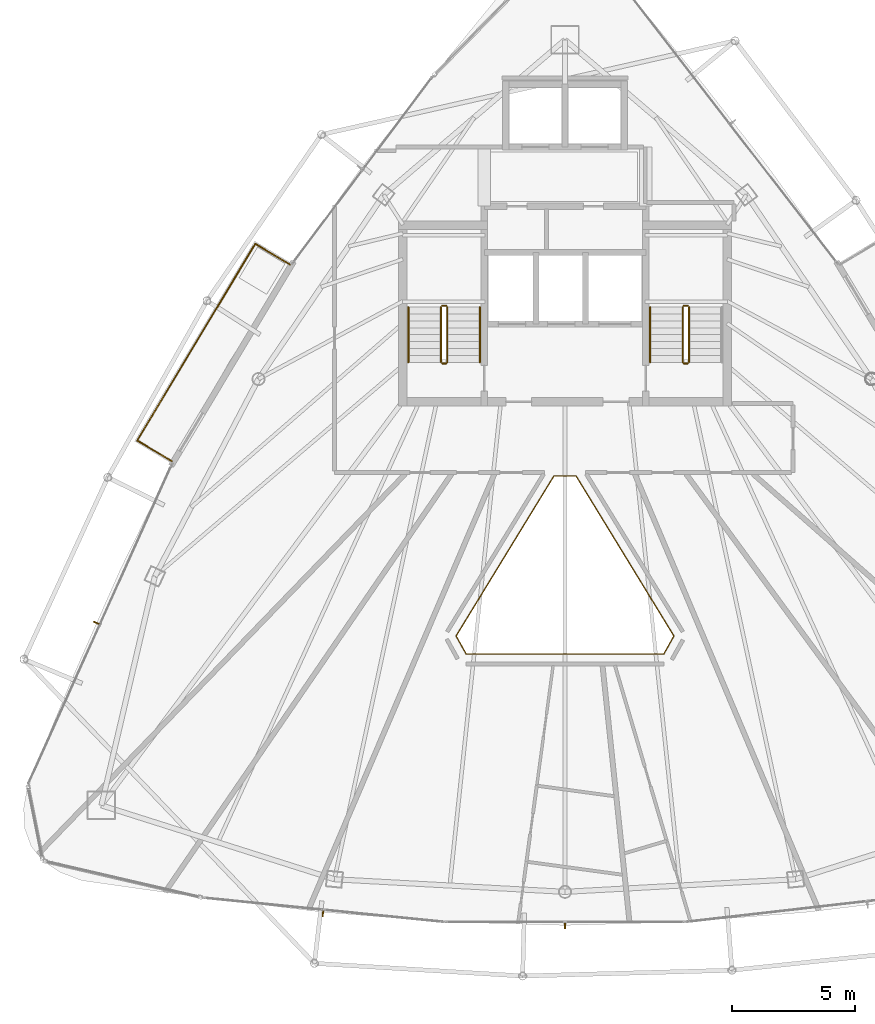
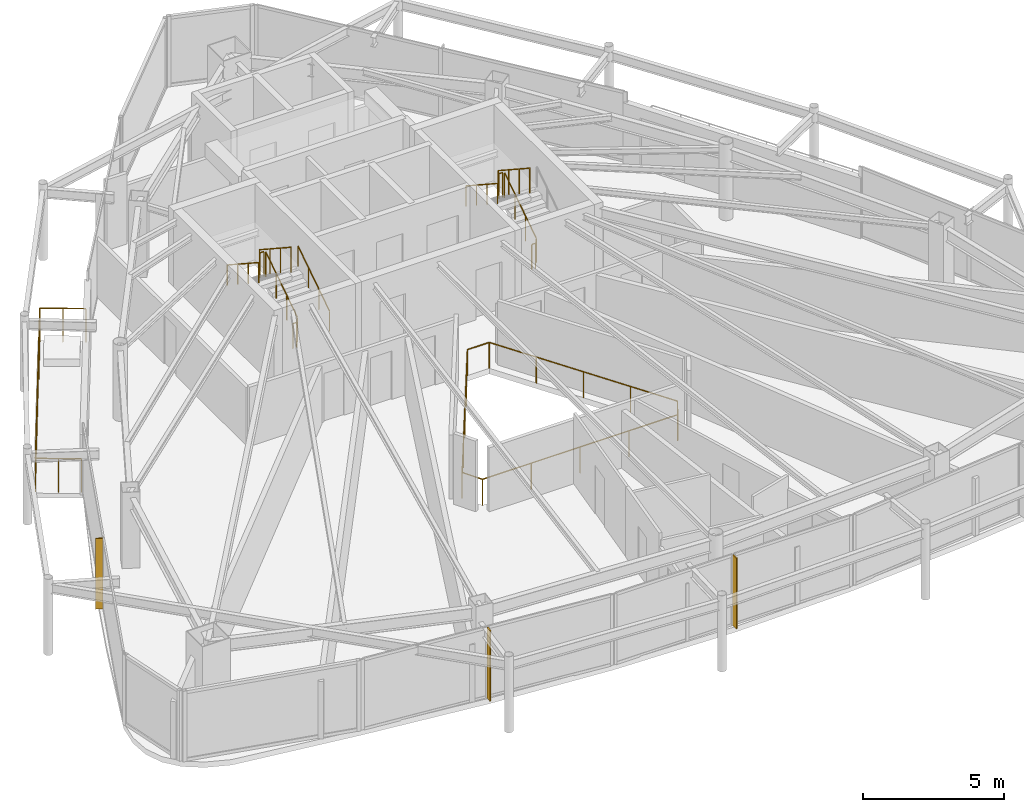
# One storey, part 27 of 28: 13 railings, 3 shading devices.
"""IFC4 building model written with IfcOpenShell, lengths in metres."""

from ifc_helpers import new_model, si_unit, direction, frame, origin, origin_2d, place, context, subcontext, project, spatial, rectangle, circle, extrude, material, layer, layer_set, type_object, element, save


model = new_model("IFC4")

# Units and contexts
model_context = context("Model", 3, precision=1e-05, world=origin(), true_north=direction((0.0, 1.0)))
body_context = subcontext(model_context, "Body", "Model", "MODEL_VIEW")
ifc_project = project(units=[si_unit("LENGTHUNIT", "METRE"), si_unit("AREAUNIT", "SQUARE_METRE"), si_unit("VOLUMEUNIT", "CUBIC_METRE"), si_unit("PLANEANGLEUNIT", "RADIAN"), si_unit("MASSUNIT", "GRAM", prefix="KILO")], contexts=[model_context])

# Site, building, storey
site_placement = place(None, origin())
site = spatial("IfcSite", under=ifc_project, at=site_placement, CompositionType="ELEMENT")
building_placement = place(site_placement, origin())
building = spatial("IfcBuilding", under=site, at=building_placement, Name="Orvanel Arch Residences", CompositionType="ELEMENT")
storey_placement = place(building_placement, frame((0.0, 0.0, 260.14990234375)))
storey = spatial("IfcBuildingStorey", under=building, at=storey_placement, Name="L74", CompositionType="ELEMENT", Elevation=260.14990234375)

# Shading devices
ifc_material_1 = material(Name="Bronze-anodised aluminium AA6063-T6", Category="aluminium")
ifc_layer = layer(ifc_material_1, 0.050048828125)
ifc_layer_set = layer_set([ifc_layer], Name="Bronze-anodised aluminium AA6063-T6")
shading_device_type = type_object("IfcShadingDeviceType", Name="FIN-BRZ-260", PredefinedType="USERDEFINED", material=ifc_layer_set)
for number, where, z_axis, x_axis, name in (
    (1, (13.998046875, 17.75, 0.0), (0.0, 0.0, 1.0), (-0.912120116172, 0.409923033842, 0.0), "L74 Anodised Bronze Mullion FIN 01"),
    (2, (23.18310546875, 5.9599609375, 0.0), (0.0, 0.0, 1.0), (-0.099319749744, -0.995055569961, 0.0), "L74 Anodised Bronze Mullion FIN 01"),
    (3, (33.0, 5.468017578125, 0.0), (0.0, 0.0, 1.0), (0.0, -1.0, 0.0), "L74 Anodised Bronze Mullion FIN 01"),
):
    element("IfcShadingDevice", number, at=place(storey_placement, frame(where, z_axis=z_axis, x_axis=x_axis)), inside=storey, type_object=shading_device_type, Name=name, ObjectType="FIN", PredefinedType="USERDEFINED", context=body_context, shape_type="SweptSolid", body=[
        extrude(rectangle(XDim=0.260009765625, YDim=0.050048828125, at=origin_2d()), origin(), (0.0, 0.0, 1.0), 3.06005859375),
    ])

# Railings
railing_type_1 = type_object("IfcRailingType", Name="RL-ATR-1150", PredefinedType="BALUSTRADE", material=ifc_material_1)
railing_1_placement = place(storey_placement, frame((33.447021484375, 23.7119140625, 0.0)))
element("IfcRailing", 4, at=railing_1_placement, inside=storey, type_object=railing_type_1, Name="L74 Atrium Void Protective Balustrade", PredefinedType="BALUSTRADE", context=body_context, shape_type="SweptSolid", body=[
    extrude(circle(Radius=0.02392578125, at=origin_2d()), frame((-0.00146484375, 0.0, 1.1259765625), z_axis=(-1.0, 0.0, 0.0), x_axis=(0.0, -1.0, 0.0)), (0.0, 0.0, 1.0), 0.89111328125),
    extrude(circle(Radius=0.02392578125, at=origin_2d()), frame((-0.894775390625, -0.001220703125, 1.1259765625), z_axis=(-0.521612229543, -0.853182677972, 0.0), x_axis=(0.853182677972, -0.521612229543, 0.0)), (0.0, 0.0, 1.0), 7.606201171875),
    extrude(circle(Radius=0.02392578125, at=origin_2d()), frame((-4.8623046875, -6.4931640625, 1.1259765625), z_axis=(0.488629954368, -0.872491127573, 0.0), x_axis=(0.872491127573, 0.488629954368, 0.0)), (0.0, 0.0, 1.0), 0.8359375),
    extrude(circle(Radius=0.02392578125, at=origin_2d()), frame((-4.45166015625, -7.223876953125, 1.1259765625), z_axis=(1.0, 0.0, 0.0), x_axis=(0.0, 1.0, 0.0)), (0.0, 0.0, 1.0), 8.00927734375),
    extrude(circle(Radius=0.02392578125, at=origin_2d()), frame((3.559814453125, -7.22265625, 1.1259765625), z_axis=(0.488629954368, 0.872491127573, 0.0), x_axis=(-0.872491127573, 0.488629954368, 0.0)), (0.0, 0.0, 1.0), 0.8359375),
    extrude(circle(Radius=0.02392578125, at=origin_2d()), frame((3.96826171875, -6.49072265625, 1.1259765625), z_axis=(-0.521612229543, 0.853182677972, 0.0), x_axis=(-0.853182677972, -0.521612229543, 0.0)), (0.0, 0.0, 1.0), 7.606201171875),
    extrude(circle(Radius=0.02099609375, at=origin_2d()), origin(), (0.0, 0.0, 1.0), 1.099853515625),
    extrude(circle(Radius=0.02099609375, at=origin_2d()), frame((-0.89404296875, 0.0, 0.0)), (0.0, 0.0, 1.0), 1.099853515625),
    extrude(circle(Radius=0.02099609375, at=origin_2d()), frame((-1.88623046875, -1.623046875, 0.0)), (0.0, 0.0, 1.0), 1.099853515625),
    extrude(circle(Radius=0.02099609375, at=origin_2d()), frame((-2.87841796875, -3.24609375, 0.0)), (0.0, 0.0, 1.0), 1.099853515625),
    extrude(circle(Radius=0.02099609375, at=origin_2d()), frame((-3.870849609375, -4.868896484375, 0.0)), (0.0, 0.0, 1.0), 1.099853515625),
    extrude(circle(Radius=0.02099609375, at=origin_2d()), frame((-4.863037109375, -6.491943359375, 0.0)), (0.0, 0.0, 1.0), 1.099853515625),
    extrude(circle(Radius=0.02099609375, at=origin_2d()), frame((-4.453125, -7.223876953125, 0.0)), (0.0, 0.0, 1.0), 1.099853515625),
    extrude(circle(Radius=0.02099609375, at=origin_2d()), frame((-2.4501953125, -7.223876953125, 0.0)), (0.0, 0.0, 1.0), 1.099853515625),
    extrude(circle(Radius=0.02099609375, at=origin_2d()), frame((-0.447021484375, -7.223876953125, 0.0)), (0.0, 0.0, 1.0), 1.099853515625),
    extrude(circle(Radius=0.02099609375, at=origin_2d()), frame((1.55615234375, -7.223876953125, 0.0)), (0.0, 0.0, 1.0), 1.099853515625),
    extrude(circle(Radius=0.02099609375, at=origin_2d()), frame((3.55908203125, -7.223876953125, 0.0)), (0.0, 0.0, 1.0), 1.099853515625),
    extrude(circle(Radius=0.02099609375, at=origin_2d()), frame((3.968994140625, -6.491943359375, 0.0)), (0.0, 0.0, 1.0), 1.099853515625),
    extrude(circle(Radius=0.02099609375, at=origin_2d()), frame((2.976806640625, -4.868896484375, 0.0)), (0.0, 0.0, 1.0), 1.099853515625),
    extrude(circle(Radius=0.02099609375, at=origin_2d()), frame((1.984375, -3.24609375, 0.0)), (0.0, 0.0, 1.0), 1.099853515625),
    extrude(circle(Radius=0.02099609375, at=origin_2d()), frame((0.9921875, -1.623046875, 0.0)), (0.0, 0.0, 1.0), 1.099853515625),
])
railing_type_2 = type_object("IfcRailingType", Name="RL-BAL-1480", PredefinedType="BALUSTRADE", material=ifc_material_1)
railing_2_placement = place(storey_placement, frame((21.844970703125, 32.282958984375, 0.0)))
element("IfcRailing", 5, at=railing_2_placement, inside=storey, type_object=railing_type_2, Name="L74 Balcony Perimeter Guardrail Face 1", PredefinedType="BALUSTRADE", context=body_context, shape_type="SweptSolid", body=[
    extrude(circle(Radius=0.02392578125, at=origin_2d()), frame((-0.001220703125, 0.000732421875, 1.4560546875), z_axis=(-0.857387817543, 0.514670895164, 0.0), x_axis=(-0.514670895164, -0.857387817543, 0.0)), (0.0, 0.0, 1.0), 1.636962890625),
    extrude(circle(Radius=0.02392578125, at=origin_2d()), frame((-1.40673828125, 0.8427734375, 1.4560546875), z_axis=(-0.514422430239, -0.857536916562, 0.0), x_axis=(0.857536916562, -0.514422430239, 0.0)), (0.0, 0.0, 1.0), 9.300537109375),
    extrude(circle(Radius=0.02392578125, at=origin_2d()), frame((-6.190673828125, -7.134765625, 1.4560546875), z_axis=(0.857545439568, -0.514408222208, 0.0), x_axis=(0.514408222208, 0.857545439568, 0.0)), (0.0, 0.0, 1.0), 1.6376953125),
    extrude(circle(Radius=0.02099609375, at=origin_2d()), origin(), (0.0, 0.0, 1.0), 1.429931640625),
    extrude(circle(Radius=0.02099609375, at=origin_2d()), frame((-0.703125, 0.421875, 0.0)), (0.0, 0.0, 1.0), 1.429931640625),
    extrude(circle(Radius=0.02099609375, at=origin_2d()), frame((-1.406005859375, 0.843994140625, 0.0)), (0.0, 0.0, 1.0), 1.429931640625),
    extrude(circle(Radius=0.02099609375, at=origin_2d()), frame((-2.004150390625, -0.1533203125, 0.0)), (0.0, 0.0, 1.0), 1.429931640625),
    extrude(circle(Radius=0.02099609375, at=origin_2d()), frame((-2.6025390625, -1.150390625, 0.0)), (0.0, 0.0, 1.0), 1.429931640625),
    extrude(circle(Radius=0.02099609375, at=origin_2d()), frame((-3.20068359375, -2.147705078125, 0.0)), (0.0, 0.0, 1.0), 1.429931640625),
    extrude(circle(Radius=0.02099609375, at=origin_2d()), frame((-3.798828125, -3.14501953125, 0.0)), (0.0, 0.0, 1.0), 1.429931640625),
    extrude(circle(Radius=0.02099609375, at=origin_2d()), frame((-4.397216796875, -4.142333984375, 0.0)), (0.0, 0.0, 1.0), 1.429931640625),
    extrude(circle(Radius=0.02099609375, at=origin_2d()), frame((-4.995361328125, -5.1396484375, 0.0)), (0.0, 0.0, 1.0), 1.429931640625),
    extrude(circle(Radius=0.02099609375, at=origin_2d()), frame((-5.59375, -6.13671875, 0.0)), (0.0, 0.0, 1.0), 1.429931640625),
    extrude(circle(Radius=0.02099609375, at=origin_2d()), frame((-6.19189453125, -7.134033203125, 0.0)), (0.0, 0.0, 1.0), 1.429931640625),
    extrude(circle(Radius=0.02099609375, at=origin_2d()), frame((-5.48828125, -7.55615234375, 0.0)), (0.0, 0.0, 1.0), 1.429931640625),
    extrude(circle(Radius=0.02099609375, at=origin_2d()), frame((-4.784912109375, -7.97802734375, 0.0)), (0.0, 0.0, 1.0), 1.429931640625),
])
ifc_material_2 = material(Name="Structural steel AS/NZS 1163 C350L0 (Grade 350)", Category="steel")
railing_type_3 = type_object("IfcRailingType", Name="RL-STAIR-GUARD", PredefinedType="GUARDRAIL", material=ifc_material_2)
railing_3_placement = place(storey_placement, frame((28.22998046875, 28.320068359375, 0.183349609375)))
element("IfcRailing", 6, at=railing_3_placement, inside=storey, type_object=railing_type_3, Name="L74 ST-1 stair guard 1", PredefinedType="GUARDRAIL", context=body_context, shape_type="SweptSolid", body=[
    extrude(circle(Radius=0.02392578125, at=origin_2d()), frame((0.0, 0.001220703125, 1.076904296875), z_axis=(0.0, 0.836595146698, 0.547821650285), x_axis=(-1.0, 0.0, 0.0)), (0.0, 0.0, 1.0), 2.674560546875),
    extrude(circle(Radius=0.02099609375, at=origin_2d()), origin(), (0.0, 0.0, 1.0), 1.050048828125),
    extrude(circle(Radius=0.02099609375, at=origin_2d()), frame((0.0, 0.74658203125, 0.489013671875)), (0.0, 0.0, 1.0), 1.050048828125),
    extrude(circle(Radius=0.02099609375, at=origin_2d()), frame((0.0, 1.493408203125, 0.977783203125)), (0.0, 0.0, 1.0), 1.050048828125),
    extrude(circle(Radius=0.02099609375, at=origin_2d()), frame((0.0, 2.239990234375, 1.466796875)), (0.0, 0.0, 1.0), 1.050048828125),
])
railing_4_placement = place(storey_placement, frame((28.179931640625, 30.610107421875, 1.650146484375)))
element("IfcRailing", 7, at=railing_4_placement, inside=storey, type_object=railing_type_3, Name="L74 ST-1 stair guard 2", PredefinedType="GUARDRAIL", context=body_context, shape_type="SweptSolid", body=[
    extrude(circle(Radius=0.02392578125, at=origin_2d()), frame((-0.00146484375, 0.0, 1.076171875), z_axis=(-1.0, 0.0, 0.0), x_axis=(0.0, -1.0, 0.0)), (0.0, 0.0, 1.0), 0.156982421875),
    extrude(circle(Radius=0.02099609375, at=origin_2d()), origin(), (0.0, 0.0, 1.0), 1.050048828125),
    extrude(circle(Radius=0.02099609375, at=origin_2d()), frame((-0.159912109375, 0.0, 0.0)), (0.0, 0.0, 1.0), 1.050048828125),
])
railing_5_placement = place(storey_placement, frame((27.969970703125, 30.56005859375, 1.83349609375)))
element("IfcRailing", 8, at=railing_5_placement, inside=storey, type_object=railing_type_3, Name="L74 ST-1 stair guard 3", PredefinedType="GUARDRAIL", context=body_context, shape_type="SweptSolid", body=[
    extrude(circle(Radius=0.02392578125, at=origin_2d()), frame((0.0, -0.001220703125, 1.076904296875), z_axis=(0.0, -0.836636935527, 0.547757827979), x_axis=(1.0, 0.0, 0.0)), (0.0, 0.0, 1.0), 2.67431640625),
    extrude(circle(Radius=0.02099609375, at=origin_2d()), origin(), (0.0, 0.0, 1.0), 1.050048828125),
    extrude(circle(Radius=0.02099609375, at=origin_2d()), frame((0.0, -0.74658203125, 0.48876953125)), (0.0, 0.0, 1.0), 1.050048828125),
    extrude(circle(Radius=0.02099609375, at=origin_2d()), frame((0.0, -1.493408203125, 0.977783203125)), (0.0, 0.0, 1.0), 1.050048828125),
    extrude(circle(Radius=0.02099609375, at=origin_2d()), frame((0.0, -2.239990234375, 1.466552734375)), (0.0, 0.0, 1.0), 1.050048828125),
])
railing_6_placement = place(storey_placement, frame((28.179931640625, 28.27001953125, 0.0)))
element("IfcRailing", 9, at=railing_6_placement, inside=storey, type_object=railing_type_3, Name="L74 ST-1 stair guard 4", PredefinedType="GUARDRAIL", context=body_context, shape_type="SweptSolid", body=[
    extrude(circle(Radius=0.02392578125, at=origin_2d()), frame((-0.00146484375, 0.0, 1.076171875), z_axis=(-1.0, 0.0, 0.0), x_axis=(0.0, -1.0, 0.0)), (0.0, 0.0, 1.0), 0.156982421875),
    extrude(circle(Radius=0.02099609375, at=origin_2d()), origin(), (0.0, 0.0, 1.0), 1.050048828125),
    extrude(circle(Radius=0.02099609375, at=origin_2d()), frame((-0.159912109375, 0.0, 0.0)), (0.0, 0.0, 1.0), 1.050048828125),
])
railing_7_placement = place(storey_placement, frame((38.030029296875, 28.320068359375, 0.183349609375)))
element("IfcRailing", 10, at=railing_7_placement, inside=storey, type_object=railing_type_3, Name="L74 ST-2 stair guard 1", PredefinedType="GUARDRAIL", context=body_context, shape_type="SweptSolid", body=[
    extrude(circle(Radius=0.02392578125, at=origin_2d()), frame((0.0, 0.001220703125, 1.076904296875), z_axis=(0.0, 0.836595146698, 0.547821650285), x_axis=(-1.0, 0.0, 0.0)), (0.0, 0.0, 1.0), 2.674560546875),
    extrude(circle(Radius=0.02099609375, at=origin_2d()), origin(), (0.0, 0.0, 1.0), 1.050048828125),
    extrude(circle(Radius=0.02099609375, at=origin_2d()), frame((0.0, 0.74658203125, 0.489013671875)), (0.0, 0.0, 1.0), 1.050048828125),
    extrude(circle(Radius=0.02099609375, at=origin_2d()), frame((0.0, 1.493408203125, 0.977783203125)), (0.0, 0.0, 1.0), 1.050048828125),
    extrude(circle(Radius=0.02099609375, at=origin_2d()), frame((0.0, 2.239990234375, 1.466796875)), (0.0, 0.0, 1.0), 1.050048828125),
])
railing_8_placement = place(storey_placement, frame((37.97998046875, 30.610107421875, 1.650146484375)))
element("IfcRailing", 11, at=railing_8_placement, inside=storey, type_object=railing_type_3, Name="L74 ST-2 stair guard 2", PredefinedType="GUARDRAIL", context=body_context, shape_type="SweptSolid", body=[
    extrude(circle(Radius=0.02392578125, at=origin_2d()), frame((-0.00146484375, 0.0, 1.076171875), z_axis=(-1.0, 0.0, 0.0), x_axis=(0.0, -1.0, 0.0)), (0.0, 0.0, 1.0), 0.156982421875),
    extrude(circle(Radius=0.02099609375, at=origin_2d()), origin(), (0.0, 0.0, 1.0), 1.050048828125),
    extrude(circle(Radius=0.02099609375, at=origin_2d()), frame((-0.159912109375, 0.0, 0.0)), (0.0, 0.0, 1.0), 1.050048828125),
])
railing_9_placement = place(storey_placement, frame((37.77001953125, 30.56005859375, 1.83349609375)))
element("IfcRailing", 12, at=railing_9_placement, inside=storey, type_object=railing_type_3, Name="L74 ST-2 stair guard 3", PredefinedType="GUARDRAIL", context=body_context, shape_type="SweptSolid", body=[
    extrude(circle(Radius=0.02392578125, at=origin_2d()), frame((0.0, -0.001220703125, 1.076904296875), z_axis=(0.0, -0.836636935527, 0.547757827979), x_axis=(1.0, 0.0, 0.0)), (0.0, 0.0, 1.0), 2.67431640625),
    extrude(circle(Radius=0.02099609375, at=origin_2d()), origin(), (0.0, 0.0, 1.0), 1.050048828125),
    extrude(circle(Radius=0.02099609375, at=origin_2d()), frame((0.0, -0.74658203125, 0.48876953125)), (0.0, 0.0, 1.0), 1.050048828125),
    extrude(circle(Radius=0.02099609375, at=origin_2d()), frame((0.0, -1.493408203125, 0.977783203125)), (0.0, 0.0, 1.0), 1.050048828125),
    extrude(circle(Radius=0.02099609375, at=origin_2d()), frame((0.0, -2.239990234375, 1.466552734375)), (0.0, 0.0, 1.0), 1.050048828125),
])
railing_10_placement = place(storey_placement, frame((37.97998046875, 28.27001953125, 0.0)))
element("IfcRailing", 13, at=railing_10_placement, inside=storey, type_object=railing_type_3, Name="L74 ST-2 stair guard 4", PredefinedType="GUARDRAIL", context=body_context, shape_type="SweptSolid", body=[
    extrude(circle(Radius=0.02392578125, at=origin_2d()), frame((-0.00146484375, 0.0, 1.076171875), z_axis=(-1.0, 0.0, 0.0), x_axis=(0.0, -1.0, 0.0)), (0.0, 0.0, 1.0), 0.156982421875),
    extrude(circle(Radius=0.02099609375, at=origin_2d()), origin(), (0.0, 0.0, 1.0), 1.050048828125),
    extrude(circle(Radius=0.02099609375, at=origin_2d()), frame((-0.159912109375, 0.0, 0.0)), (0.0, 0.0, 1.0), 1.050048828125),
])
railing_type_4 = type_object("IfcRailingType", Name="RL-STAIR-HAND", PredefinedType="HANDRAIL", material=ifc_material_2)
railing_11_placement = place(storey_placement, frame((29.550048828125, 28.320068359375, 0.183349609375)))
element("IfcRailing", 14, at=railing_11_placement, inside=storey, type_object=railing_type_4, Name="L74 ST-1 stair handrail 1", PredefinedType="HANDRAIL", context=body_context, shape_type="SweptSolid", body=[
    extrude(circle(Radius=0.02392578125, at=origin_2d()), frame((0.0, 0.001220703125, 0.876708984375), z_axis=(0.0, 0.836595146698, 0.547821650285), x_axis=(-1.0, 0.0, 0.0)), (0.0, 0.0, 1.0), 2.674560546875),
    extrude(circle(Radius=0.02099609375, at=origin_2d()), origin(), (0.0, 0.0, 1.0), 0.849853515625),
    extrude(circle(Radius=0.02099609375, at=origin_2d()), frame((0.0, 0.74658203125, 0.489013671875)), (0.0, 0.0, 1.0), 0.849853515625),
    extrude(circle(Radius=0.02099609375, at=origin_2d()), frame((0.0, 1.493408203125, 0.977783203125)), (0.0, 0.0, 1.0), 0.849853515625),
    extrude(circle(Radius=0.02099609375, at=origin_2d()), frame((0.0, 2.239990234375, 1.466796875)), (0.0, 0.0, 1.0), 0.849853515625),
])
for number, where, name in (
    (15, (26.64990234375, 30.56005859375, 1.83349609375), "L74 ST-1 stair handrail 2"),
    (16, (36.449951171875, 30.56005859375, 1.83349609375), "L74 ST-2 stair handrail 2"),
):
    element("IfcRailing", number, at=place(storey_placement, frame(where)), inside=storey, type_object=railing_type_4, Name=name, PredefinedType="HANDRAIL", context=body_context, shape_type="SweptSolid", body=[
        extrude(circle(Radius=0.02392578125, at=origin_2d()), frame((0.0, -0.001220703125, 0.876708984375), z_axis=(0.0, -0.836636935527, 0.547757827979), x_axis=(1.0, 0.0, 0.0)), (0.0, 0.0, 1.0), 2.67431640625),
        extrude(circle(Radius=0.02099609375, at=origin_2d()), origin(), (0.0, 0.0, 1.0), 0.849853515625),
        extrude(circle(Radius=0.02099609375, at=origin_2d()), frame((0.0, -0.74658203125, 0.48876953125)), (0.0, 0.0, 1.0), 0.849853515625),
        extrude(circle(Radius=0.02099609375, at=origin_2d()), frame((0.0, -1.493408203125, 0.977783203125)), (0.0, 0.0, 1.0), 0.849853515625),
        extrude(circle(Radius=0.02099609375, at=origin_2d()), frame((0.0, -2.239990234375, 1.466552734375)), (0.0, 0.0, 1.0), 0.849853515625),
    ])

save(model, "model.ifc")
